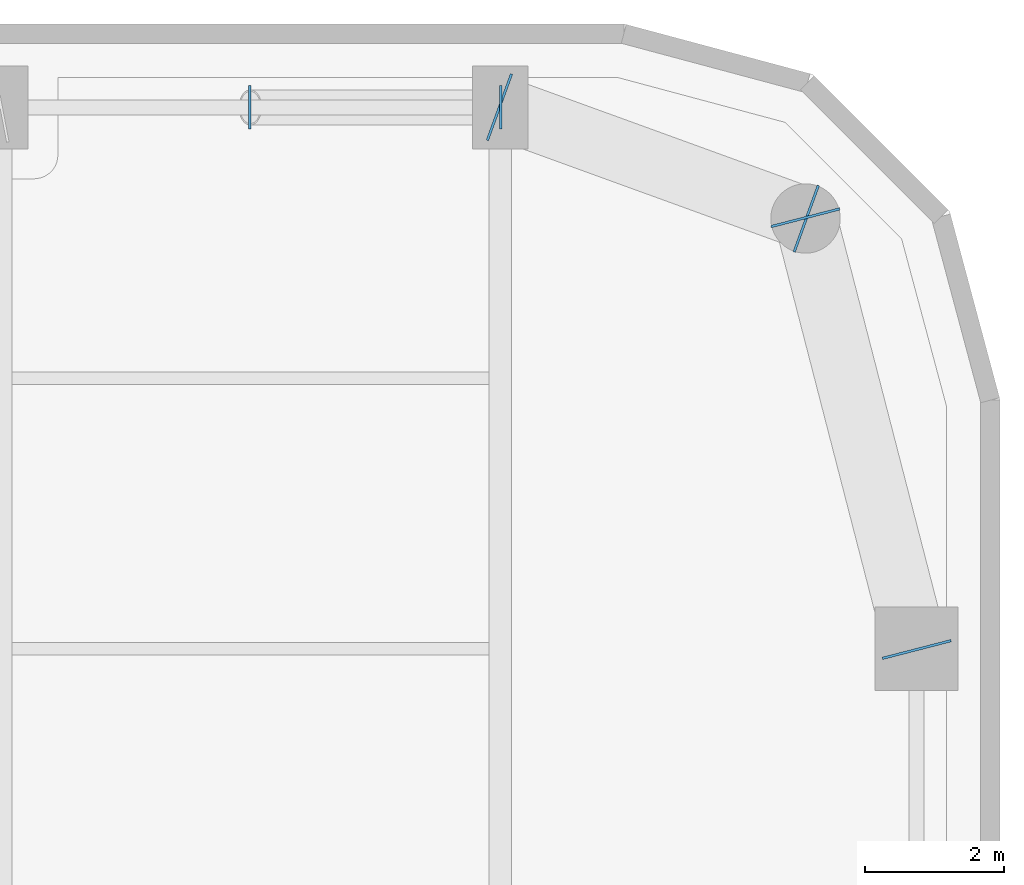
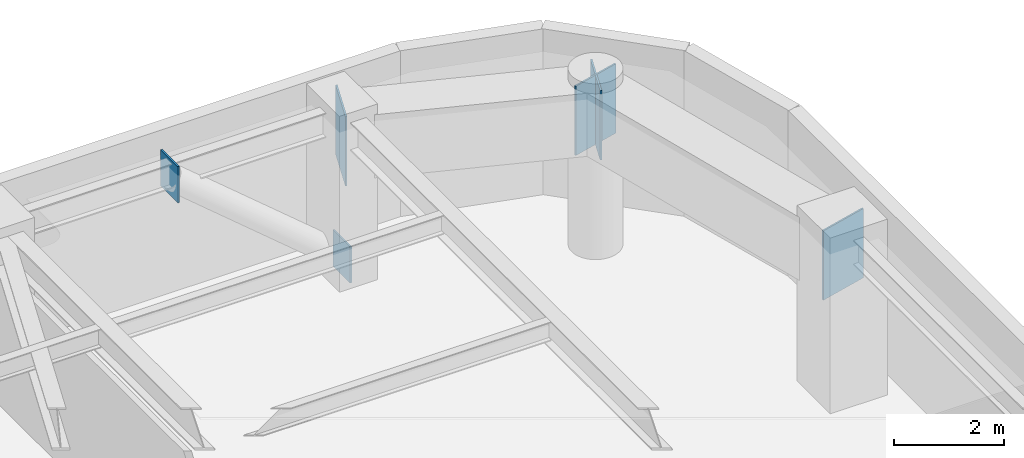
# One storey, part 23 of 30: 6 plates.
"""IFC4 building model written with IfcOpenShell, lengths in metres."""

from ifc_helpers import new_model, si_unit, direction, frame, origin, origin_2d, place, context, subcontext, project, spatial, rectangle, extrude, material, layer, layer_set, type_object, element, save


model = new_model("IFC4")

# Units and contexts
model_context = context("Model", 3, precision=1e-05, world=origin(), true_north=direction((0.0, 1.0)))
body_context = subcontext(model_context, "Body", "Model", "MODEL_VIEW")
ifc_project = project(units=[si_unit("LENGTHUNIT", "METRE"), si_unit("AREAUNIT", "SQUARE_METRE"), si_unit("VOLUMEUNIT", "CUBIC_METRE"), si_unit("PLANEANGLEUNIT", "RADIAN"), si_unit("MASSUNIT", "GRAM", prefix="KILO")], contexts=[model_context])

# Site, building, storey
site_placement = place(None, origin())
site = spatial("IfcSite", under=ifc_project, at=site_placement, CompositionType="ELEMENT")
building_placement = place(site_placement, origin())
building = spatial("IfcBuilding", under=site, at=building_placement, Name="Kiyonajd Concourse Tower", CompositionType="ELEMENT")
storey_placement = place(building_placement, frame((0.0, 0.0, 162.300048828125)))
storey = spatial("IfcBuildingStorey", under=building, at=storey_placement, Name="L41", CompositionType="ELEMENT", Elevation=162.300048828125)

# Plates
ifc_material = material(Name="Steel ASTM A572 Grade 50", Category="steel")
ifc_layer_1 = layer(ifc_material, 0.028076171875)
ifc_layer_set_1 = layer_set([ifc_layer_1], Name="Steel ASTM A572 Grade 50")
plate_type_1 = type_object("IfcPlateType", Name="PL-CAP-450", PredefinedType="USERDEFINED", material=ifc_layer_set_1)
for number, where, z_axis, x_axis, name in (
    (1, (63.6083984375, 61.199951171875, -0.10888671875), (0.0, 0.0, 1.0), (1.0, 0.0, 0.0), "L41 Hollow Brace End Cap Plate PBN"),
    (2, (59.99169921875, 61.199951171875, 2.93505859375), (0.0, 0.0, 1.0), (-1.0, 0.0, 0.0), "L41 Hollow Brace Top Cap Plate PBN"),
):
    element("IfcPlate", number, at=place(storey_placement, frame(where, z_axis=z_axis, x_axis=x_axis)), inside=storey, type_object=plate_type_1, Name=name, ObjectType="CAP PLATE", PredefinedType="USERDEFINED", context=body_context, shape_type="SweptSolid", body=[
        extrude(rectangle(XDim=0.035888671875, YDim=0.6279296875, at=origin_2d()), origin(), (0.0, 0.0, 1.0), 0.803955078125),
    ])
ifc_layer_2 = layer(ifc_material, 0.031982421875)
ifc_layer_set_2 = layer_set([ifc_layer_2], Name="Steel ASTM A572 Grade 50")
plate_type_2 = type_object("IfcPlateType", Name="PL-CAP-540", PredefinedType="USERDEFINED", material=ifc_layer_set_2)
for number, where, z_axis, x_axis, name in (
    (3, (69.602783203125, 53.389404296875, 2.2099609375), (0.0, 0.0, 1.0), (0.249873048837, -0.968278606324, 0.0), "L41 Welded Box Girder End Cap"),
    (4, (67.997314453125, 59.610595703125, 2.2099609375), (0.0, 0.0, 1.0), (-0.249873048837, 0.968278606324, 0.0), "L41 Welded Box Girder End Cap"),
    (5, (68.01025390625, 59.59619140625, 2.2099609375), (0.0, 0.0, 1.0), (0.939811951086, -0.341692107891, 0.0), "L41 Welded Box Girder End Cap"),
    (6, (63.589599609375, 61.203857421875, 2.2099609375), (0.0, 0.0, 1.0), (-0.939811951086, 0.341692107891, 0.0), "L41 Welded Box Girder End Cap"),
):
    element("IfcPlate", number, at=place(storey_placement, frame(where, z_axis=z_axis, x_axis=x_axis)), inside=storey, type_object=plate_type_2, Name=name, ObjectType="CAP PLATE", PredefinedType="USERDEFINED", context=body_context, shape_type="SweptSolid", body=[
        extrude(rectangle(XDim=0.035888671875, YDim=1.02001953125, at=origin_2d()), origin(), (0.0, 0.0, 1.0), 1.5400390625),
    ])

save(model, "model.ifc")
